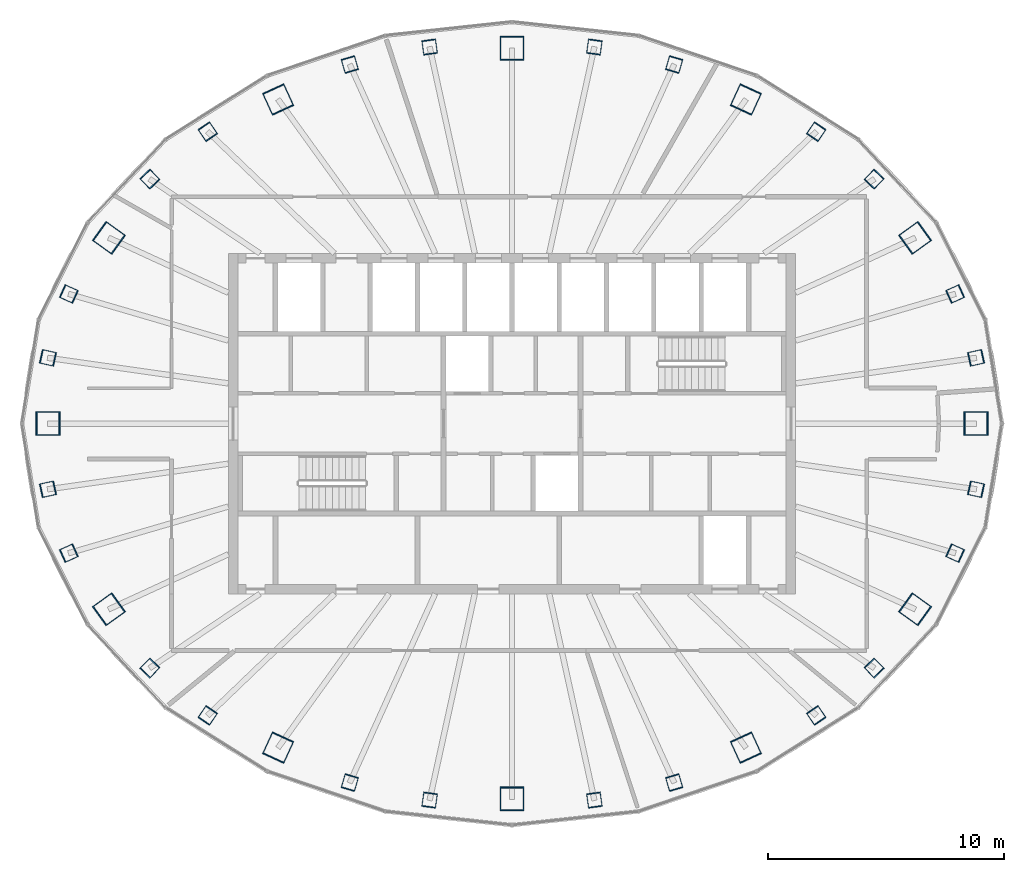
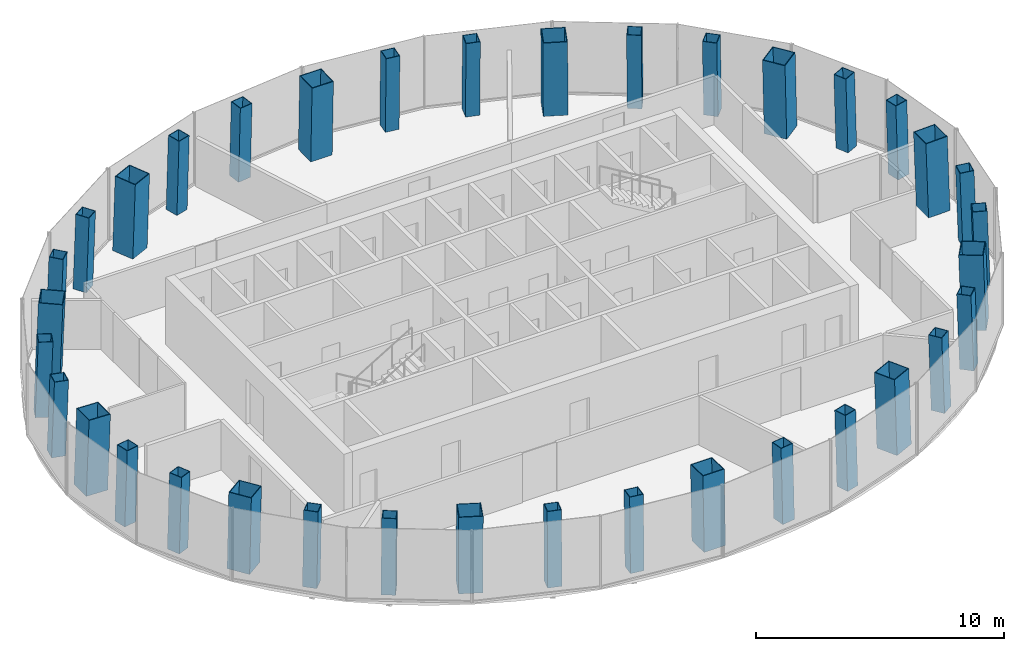
# One storey, part 1 of 11: 36 columns.
"""IFC4 building model written with IfcOpenShell, lengths in metres."""

from ifc_helpers import new_model, si_unit, direction, frame, origin, origin_2d, place, context, subcontext, project, spatial, hollow_rectangle, extrude, material, material_profile, profile_set, type_object, element, save


model = new_model("IFC4")

# Units and contexts
model_context = context("Model", 3, precision=1e-05, world=origin(), true_north=direction((0.0, 1.0)))
body_context = subcontext(model_context, "Body", "Model", "MODEL_VIEW")
ifc_project = project(units=[si_unit("LENGTHUNIT", "METRE"), si_unit("AREAUNIT", "SQUARE_METRE"), si_unit("VOLUMEUNIT", "CUBIC_METRE"), si_unit("PLANEANGLEUNIT", "RADIAN"), si_unit("MASSUNIT", "GRAM", prefix="KILO")], contexts=[model_context])

# Site, building, storey
site_placement = place(None, origin())
site = spatial("IfcSite", under=ifc_project, at=site_placement, CompositionType="ELEMENT")
building_placement = place(site_placement, origin())
building = spatial("IfcBuilding", under=site, at=building_placement, Name="Siaravel Broadcast Tower", CompositionType="ELEMENT")
storey_placement = place(building_placement, frame((0.0, 0.0, 254.10009765625)))
storey = spatial("IfcBuildingStorey", under=building, at=storey_placement, Name="L62", CompositionType="ELEMENT", Elevation=254.10009765625)

# Columns
ifc_material_1 = material(Name="Concrete C70/85", Category="concrete")
ifc_material_profile_1 = material_profile(ifc_material_1, hollow_rectangle(XDim=1.0, YDim=1.0, WallThickness=0.031982421875, at=origin_2d()))
ifc_profile_set_1 = profile_set([ifc_material_profile_1], Name="Concrete C70/85")
column_type_1 = type_object("IfcColumnType", Name="COL-CFT BOX 1000x1000x32", PredefinedType="COLUMN", material=ifc_profile_set_1)
column_1_placement = place(storey_placement, frame((19.647705078125, 0.0, 0.0), z_axis=(-0.034621265, 0.0, 0.999400504), x_axis=(0.0, -1.0, 0.0)))
element("IfcColumn", 1, at=column_1_placement, inside=storey, type_object=column_type_1, Name="Megacolumn MC01", PredefinedType="COLUMN", context=body_context, shape_type="SweptSolid", body=[
    extrude(hollow_rectangle(XDim=1.0, YDim=1.0, WallThickness=0.031982421875, at=origin_2d()), origin(), (0.0, 0.0, 1.0), 3.7021484375),
])
column_2_placement = place(storey_placement, frame((17.06884765625, 7.863525390625, 0.0), z_axis=(-0.029940695, -0.014113015, 0.999452039), x_axis=(0.583176073, -0.812323625, 0.005999649)))
element("IfcColumn", 2, at=column_2_placement, inside=storey, type_object=column_type_1, Name="Megacolumn MC02", PredefinedType="COLUMN", context=body_context, shape_type="SweptSolid", body=[
    extrude(hollow_rectangle(XDim=1.0, YDim=1.0, WallThickness=0.031982421875, at=origin_2d()), origin(), (0.0, 0.0, 1.0), 3.701904296875),
])
column_3_placement = place(storey_placement, frame((9.903564453125, 13.723388671875, 0.0), z_axis=(-0.017280237, -0.024535299, 0.999549605), x_axis=(0.908817355, -0.417158332, 0.00547194)))
element("IfcColumn", 3, at=column_3_placement, inside=storey, type_object=column_type_1, Name="Megacolumn MC03", PredefinedType="COLUMN", context=body_context, shape_type="SweptSolid", body=[
    extrude(hollow_rectangle(XDim=1.0, YDim=1.0, WallThickness=0.031982421875, at=origin_2d()), origin(), (0.0, 0.0, 1.0), 3.70166015625),
])
column_4_placement = place(storey_placement, frame((0.0, 15.894775390625, 0.0), z_axis=(0.0, -0.02836206, 0.999597716), x_axis=(1.0, 0.0, 0.0)))
element("IfcColumn", 4, at=column_4_placement, inside=storey, type_object=column_type_1, Name="Megacolumn MC04", PredefinedType="COLUMN", context=body_context, shape_type="SweptSolid", body=[
    extrude(hollow_rectangle(XDim=1.0, YDim=1.0, WallThickness=0.031982421875, at=origin_2d()), origin(), (0.0, 0.0, 1.0), 3.701416015625),
])
column_5_placement = place(storey_placement, frame((-9.903564453125, 13.723388671875, 0.0), z_axis=(0.017280237, -0.024535299, 0.999549605), x_axis=(0.908817355, 0.417158332, -0.00547194)))
element("IfcColumn", 5, at=column_5_placement, inside=storey, type_object=column_type_1, Name="Megacolumn MC05", PredefinedType="COLUMN", context=body_context, shape_type="SweptSolid", body=[
    extrude(hollow_rectangle(XDim=1.0, YDim=1.0, WallThickness=0.031982421875, at=origin_2d()), origin(), (0.0, 0.0, 1.0), 3.70166015625),
])
column_6_placement = place(storey_placement, frame((-17.06884765625, 7.863525390625, 0.0), z_axis=(0.029940695, -0.014113015, 0.999452039), x_axis=(0.583176073, 0.812323625, -0.005999649)))
element("IfcColumn", 6, at=column_6_placement, inside=storey, type_object=column_type_1, Name="Megacolumn MC06", PredefinedType="COLUMN", context=body_context, shape_type="SweptSolid", body=[
    extrude(hollow_rectangle(XDim=1.0, YDim=1.0, WallThickness=0.031982421875, at=origin_2d()), origin(), (0.0, 0.0, 1.0), 3.701904296875),
])
column_7_placement = place(storey_placement, frame((-19.647705078125, 0.0, 0.0), z_axis=(0.034621265, 0.0, 0.999400504), x_axis=(0.0, 1.0, 0.0)))
element("IfcColumn", 7, at=column_7_placement, inside=storey, type_object=column_type_1, Name="Megacolumn MC07", PredefinedType="COLUMN", context=body_context, shape_type="SweptSolid", body=[
    extrude(hollow_rectangle(XDim=1.0, YDim=1.0, WallThickness=0.031982421875, at=origin_2d()), origin(), (0.0, 0.0, 1.0), 3.7021484375),
])
column_8_placement = place(storey_placement, frame((-17.06884765625, -7.863525390625, 0.0), z_axis=(0.029940695, 0.014113015, 0.999452039), x_axis=(-0.583176073, 0.812323625, 0.005999649)))
element("IfcColumn", 8, at=column_8_placement, inside=storey, type_object=column_type_1, Name="Megacolumn MC08", PredefinedType="COLUMN", context=body_context, shape_type="SweptSolid", body=[
    extrude(hollow_rectangle(XDim=1.0, YDim=1.0, WallThickness=0.031982421875, at=origin_2d()), origin(), (0.0, 0.0, 1.0), 3.701904296875),
])
column_9_placement = place(storey_placement, frame((-9.903564453125, -13.723388671875, 0.0), z_axis=(0.017280237, 0.024535299, 0.999549605), x_axis=(-0.908817355, 0.417158332, 0.00547194)))
element("IfcColumn", 9, at=column_9_placement, inside=storey, type_object=column_type_1, Name="Megacolumn MC09", PredefinedType="COLUMN", context=body_context, shape_type="SweptSolid", body=[
    extrude(hollow_rectangle(XDim=1.0, YDim=1.0, WallThickness=0.031982421875, at=origin_2d()), origin(), (0.0, 0.0, 1.0), 3.70166015625),
])
column_10_placement = place(storey_placement, frame((0.0, -15.894775390625, 0.0), z_axis=(0.0, 0.02836206, 0.999597716), x_axis=(-1.0, 0.0, 0.0)))
element("IfcColumn", 10, at=column_10_placement, inside=storey, type_object=column_type_1, Name="Megacolumn MC10", PredefinedType="COLUMN", context=body_context, shape_type="SweptSolid", body=[
    extrude(hollow_rectangle(XDim=1.0, YDim=1.0, WallThickness=0.031982421875, at=origin_2d()), origin(), (0.0, 0.0, 1.0), 3.701416015625),
])
column_11_placement = place(storey_placement, frame((9.903564453125, -13.723388671875, 0.0), z_axis=(-0.017280237, 0.024535299, 0.999549605), x_axis=(-0.908817355, -0.417158332, -0.00547194)))
element("IfcColumn", 11, at=column_11_placement, inside=storey, type_object=column_type_1, Name="Megacolumn MC11", PredefinedType="COLUMN", context=body_context, shape_type="SweptSolid", body=[
    extrude(hollow_rectangle(XDim=1.0, YDim=1.0, WallThickness=0.031982421875, at=origin_2d()), origin(), (0.0, 0.0, 1.0), 3.70166015625),
])
column_12_placement = place(storey_placement, frame((17.06884765625, -7.863525390625, 0.0), z_axis=(-0.029940695, 0.014113015, 0.999452039), x_axis=(-0.583176073, -0.812323625, -0.005999649)))
element("IfcColumn", 12, at=column_12_placement, inside=storey, type_object=column_type_1, Name="Megacolumn MC12", PredefinedType="COLUMN", context=body_context, shape_type="SweptSolid", body=[
    extrude(hollow_rectangle(XDim=1.0, YDim=1.0, WallThickness=0.031982421875, at=origin_2d()), origin(), (0.0, 0.0, 1.0), 3.701904296875),
])
ifc_material_2 = material(Name="Concrete C50/60", Category="concrete")
ifc_material_profile_2 = material_profile(ifc_material_2, hollow_rectangle(XDim=0.60009765625, YDim=0.60009765625, WallThickness=0.02490234375, at=origin_2d()))
ifc_profile_set_2 = profile_set([ifc_material_profile_2], Name="Concrete C50/60")
column_type_2 = type_object("IfcColumnType", Name="COL-CFT BOX 600x600x25", PredefinedType="COLUMN", material=ifc_profile_set_2)
for number, where, z_axis, x_axis, name in (
    (13, (19.650390625, 2.78271484375, 0.0), (-0.034028034, -0.004945935, 0.99940864), (0.213976958, -0.976835632, 0.002451299), "Perimeter column C01"),
    (14, (18.765380859375, 5.48779296875, 0.0), (-0.032511791, -0.009694185, 0.999424337), (0.410808226, -0.911710572, 0.004520422), "Perimeter column C02"),
):
    element("IfcColumn", number, at=place(storey_placement, frame(where, z_axis=z_axis, x_axis=x_axis)), inside=storey, type_object=column_type_2, Name=name, PredefinedType="COLUMN", context=body_context, shape_type="SweptSolid", body=[
        extrude(hollow_rectangle(XDim=0.60009765625, YDim=0.60009765625, WallThickness=0.02490234375, at=origin_2d()), origin(), (0.0, 0.0, 1.0), 3.7021484375),
    ])
column_13_placement = place(storey_placement, frame((15.334716796875, 10.3515625, 0.0), z_axis=(-0.026446274, -0.018202423, 0.9994845), x_axis=(0.721781016, -0.692091029, 0.006494033)))
element("IfcColumn", 15, at=column_13_placement, inside=storey, type_object=column_type_2, Name="Perimeter column C03", PredefinedType="COLUMN", context=body_context, shape_type="SweptSolid", body=[
    extrude(hollow_rectangle(XDim=0.60009765625, YDim=0.60009765625, WallThickness=0.02490234375, at=origin_2d()), origin(), (0.0, 0.0, 1.0), 3.701904296875),
])
column_14_placement = place(storey_placement, frame((12.88330078125, 12.359375, 0.0), z_axis=(-0.022292076, -0.0216985, 0.999516002), x_axis=(0.828126463, -0.560505889, 0.006301571)))
element("IfcColumn", 16, at=column_14_placement, inside=storey, type_object=column_type_2, Name="Perimeter column C04", PredefinedType="COLUMN", context=body_context, shape_type="SweptSolid", body=[
    extrude(hollow_rectangle(XDim=0.60009765625, YDim=0.60009765625, WallThickness=0.02490234375, at=origin_2d()), origin(), (0.0, 0.0, 1.0), 3.70166015625),
])
for number, where, z_axis, x_axis, name in (
    (17, (6.86767578125, 15.203125, 0.0), (-0.011872213, -0.026646524, 0.999574416), (0.959752161, -0.280821076, 0.003913142), "Perimeter column C05"),
    (18, (3.48828125, 15.944580078125, 0.0), (-0.005936218, -0.027900223, 0.999593087), (0.990528599, -0.137291258, 0.002050371), "Perimeter column C06"),
    (19, (-3.48828125, 15.944580078125, 0.0), (0.005936218, -0.027900223, 0.999593087), (0.990528599, 0.137291258, -0.002050371), "Perimeter column C07"),
    (20, (-6.86767578125, 15.203125, 0.0), (0.011872213, -0.026646524, 0.999574416), (0.959752161, 0.280821076, -0.003913142), "Perimeter column C08"),
):
    element("IfcColumn", number, at=place(storey_placement, frame(where, z_axis=z_axis, x_axis=x_axis)), inside=storey, type_object=column_type_2, Name=name, PredefinedType="COLUMN", context=body_context, shape_type="SweptSolid", body=[
        extrude(hollow_rectangle(XDim=0.60009765625, YDim=0.60009765625, WallThickness=0.02490234375, at=origin_2d()), origin(), (0.0, 0.0, 1.0), 3.701416015625),
    ])
column_15_placement = place(storey_placement, frame((-12.88330078125, 12.359375, 0.0), z_axis=(0.022292076, -0.0216985, 0.999516002), x_axis=(0.828126463, 0.560505889, -0.006301571)))
element("IfcColumn", 21, at=column_15_placement, inside=storey, type_object=column_type_2, Name="Perimeter column C09", PredefinedType="COLUMN", context=body_context, shape_type="SweptSolid", body=[
    extrude(hollow_rectangle(XDim=0.60009765625, YDim=0.60009765625, WallThickness=0.02490234375, at=origin_2d()), origin(), (0.0, 0.0, 1.0), 3.70166015625),
])
column_16_placement = place(storey_placement, frame((-15.334716796875, 10.3515625, 0.0), z_axis=(0.026446274, -0.018202423, 0.9994845), x_axis=(0.721781016, 0.692091029, -0.006494033)))
element("IfcColumn", 22, at=column_16_placement, inside=storey, type_object=column_type_2, Name="Perimeter column C10", PredefinedType="COLUMN", context=body_context, shape_type="SweptSolid", body=[
    extrude(hollow_rectangle(XDim=0.60009765625, YDim=0.60009765625, WallThickness=0.02490234375, at=origin_2d()), origin(), (0.0, 0.0, 1.0), 3.701904296875),
])
for number, where, z_axis, x_axis, name in (
    (23, (-18.765380859375, 5.48779296875, 0.0), (0.032511791, -0.009694185, 0.999424337), (0.410808226, 0.911710572, -0.004520422), "Perimeter column C11"),
    (24, (-19.650390625, 2.78271484375, 0.0), (0.034028034, -0.004945935, 0.99940864), (0.213976958, 0.976835632, -0.002451299), "Perimeter column C12"),
    (25, (-19.650390625, -2.78271484375, 0.0), (0.034028034, 0.004945935, 0.99940864), (-0.213976958, 0.976835632, 0.002451299), "Perimeter column C13"),
    (26, (-18.765380859375, -5.48779296875, 0.0), (0.032511791, 0.009694185, 0.999424337), (-0.410808226, 0.911710572, 0.004520422), "Perimeter column C14"),
):
    element("IfcColumn", number, at=place(storey_placement, frame(where, z_axis=z_axis, x_axis=x_axis)), inside=storey, type_object=column_type_2, Name=name, PredefinedType="COLUMN", context=body_context, shape_type="SweptSolid", body=[
        extrude(hollow_rectangle(XDim=0.60009765625, YDim=0.60009765625, WallThickness=0.02490234375, at=origin_2d()), origin(), (0.0, 0.0, 1.0), 3.7021484375),
    ])
column_17_placement = place(storey_placement, frame((-15.334716796875, -10.3515625, 0.0), z_axis=(0.026446274, 0.018202423, 0.9994845), x_axis=(-0.721781016, 0.692091029, 0.006494033)))
element("IfcColumn", 27, at=column_17_placement, inside=storey, type_object=column_type_2, Name="Perimeter column C15", PredefinedType="COLUMN", context=body_context, shape_type="SweptSolid", body=[
    extrude(hollow_rectangle(XDim=0.60009765625, YDim=0.60009765625, WallThickness=0.02490234375, at=origin_2d()), origin(), (0.0, 0.0, 1.0), 3.701904296875),
])
column_18_placement = place(storey_placement, frame((-12.88330078125, -12.359375, 0.0), z_axis=(0.022292076, 0.0216985, 0.999516002), x_axis=(-0.828126463, 0.560505889, 0.006301571)))
element("IfcColumn", 28, at=column_18_placement, inside=storey, type_object=column_type_2, Name="Perimeter column C16", PredefinedType="COLUMN", context=body_context, shape_type="SweptSolid", body=[
    extrude(hollow_rectangle(XDim=0.60009765625, YDim=0.60009765625, WallThickness=0.02490234375, at=origin_2d()), origin(), (0.0, 0.0, 1.0), 3.70166015625),
])
for number, where, z_axis, x_axis, name in (
    (29, (-6.86767578125, -15.203125, 0.0), (0.011872213, 0.026646524, 0.999574416), (-0.959752161, 0.280821076, 0.003913142), "Perimeter column C17"),
    (30, (-3.48828125, -15.944580078125, 0.0), (0.005936218, 0.027900223, 0.999593087), (-0.990528599, 0.137291258, 0.002050371), "Perimeter column C18"),
    (31, (3.48828125, -15.944580078125, 0.0), (-0.005936218, 0.027900223, 0.999593087), (-0.990528599, -0.137291258, -0.002050371), "Perimeter column C19"),
    (32, (6.86767578125, -15.203125, 0.0), (-0.011872213, 0.026646524, 0.999574416), (-0.959752161, -0.280821076, -0.003913142), "Perimeter column C20"),
):
    element("IfcColumn", number, at=place(storey_placement, frame(where, z_axis=z_axis, x_axis=x_axis)), inside=storey, type_object=column_type_2, Name=name, PredefinedType="COLUMN", context=body_context, shape_type="SweptSolid", body=[
        extrude(hollow_rectangle(XDim=0.60009765625, YDim=0.60009765625, WallThickness=0.02490234375, at=origin_2d()), origin(), (0.0, 0.0, 1.0), 3.701416015625),
    ])
column_19_placement = place(storey_placement, frame((12.88330078125, -12.359375, 0.0), z_axis=(-0.022292076, 0.0216985, 0.999516002), x_axis=(-0.828126463, -0.560505889, -0.006301571)))
element("IfcColumn", 33, at=column_19_placement, inside=storey, type_object=column_type_2, Name="Perimeter column C21", PredefinedType="COLUMN", context=body_context, shape_type="SweptSolid", body=[
    extrude(hollow_rectangle(XDim=0.60009765625, YDim=0.60009765625, WallThickness=0.02490234375, at=origin_2d()), origin(), (0.0, 0.0, 1.0), 3.70166015625),
])
column_20_placement = place(storey_placement, frame((15.334716796875, -10.3515625, 0.0), z_axis=(-0.026446274, 0.018202423, 0.9994845), x_axis=(-0.721781016, -0.692091029, -0.006494033)))
element("IfcColumn", 34, at=column_20_placement, inside=storey, type_object=column_type_2, Name="Perimeter column C22", PredefinedType="COLUMN", context=body_context, shape_type="SweptSolid", body=[
    extrude(hollow_rectangle(XDim=0.60009765625, YDim=0.60009765625, WallThickness=0.02490234375, at=origin_2d()), origin(), (0.0, 0.0, 1.0), 3.701904296875),
])
for number, where, z_axis, x_axis, name in (
    (35, (18.765380859375, -5.48779296875, 0.0), (-0.032511791, 0.009694185, 0.999424337), (-0.410808226, -0.911710572, -0.004520422), "Perimeter column C23"),
    (36, (19.650390625, -2.78271484375, 0.0), (-0.034028034, 0.004945935, 0.99940864), (-0.213976958, -0.976835632, -0.002451299), "Perimeter column C24"),
):
    element("IfcColumn", number, at=place(storey_placement, frame(where, z_axis=z_axis, x_axis=x_axis)), inside=storey, type_object=column_type_2, Name=name, PredefinedType="COLUMN", context=body_context, shape_type="SweptSolid", body=[
        extrude(hollow_rectangle(XDim=0.60009765625, YDim=0.60009765625, WallThickness=0.02490234375, at=origin_2d()), origin(), (0.0, 0.0, 1.0), 3.7021484375),
    ])

save(model, "model.ifc")
